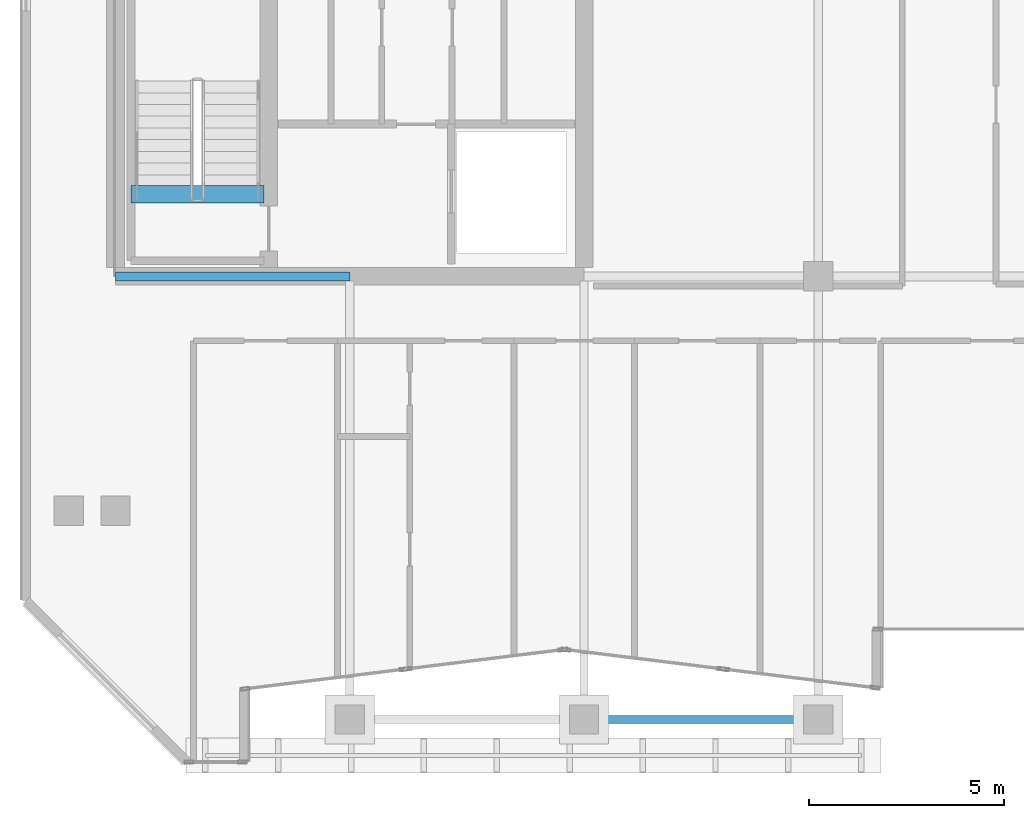
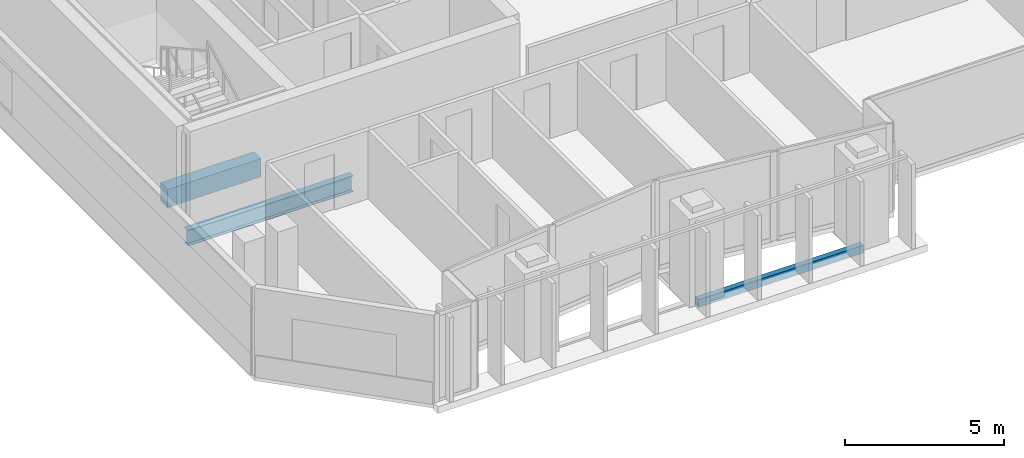
# One storey, part 3 of 32: 3 beams.
"""IFC4 building model written with IfcOpenShell, lengths in metres."""

from ifc_helpers import new_model, si_unit, direction, frame, origin, origin_2d, place, context, subcontext, project, spatial, rectangle, hollow_rectangle, i_section, extrude, material, material_profile, profile_set, type_object, element, save


model = new_model("IFC4")

# Units and contexts
model_context = context("Model", 3, precision=1e-05, world=origin(), true_north=direction((0.0, 1.0)))
body_context = subcontext(model_context, "Body", "Model", "MODEL_VIEW")
ifc_project = project(units=[si_unit("LENGTHUNIT", "METRE"), si_unit("AREAUNIT", "SQUARE_METRE"), si_unit("VOLUMEUNIT", "CUBIC_METRE"), si_unit("PLANEANGLEUNIT", "RADIAN"), si_unit("MASSUNIT", "GRAM", prefix="KILO")], contexts=[model_context])

# Site, building, storey
site_placement = place(None, origin())
site = spatial("IfcSite", under=ifc_project, at=site_placement, CompositionType="ELEMENT")
building_placement = place(site_placement, origin())
building = spatial("IfcBuilding", under=site, at=building_placement, Name="Tanjung Sevakor Pilgrim Tower", CompositionType="ELEMENT")
storey_placement = place(building_placement, frame((0.0, 0.0, 211.860107421875)))
storey = spatial("IfcBuildingStorey", under=building, at=storey_placement, Name="L59", CompositionType="ELEMENT", Elevation=211.860107421875)

# Beams
ifc_material_1 = material(Name="Steel S355J2", Category="steel")
ifc_material_profile_1 = material_profile(ifc_material_1, i_section(OverallWidth=0.22900390625, OverallDepth=0.6123046875, WebThickness=0.011962890625, FlangeThickness=0.01953125, FilletRadius=0.0126953125, at=origin_2d()))
ifc_profile_set_1 = profile_set([ifc_material_profile_1], Name="Steel S355J2")
beam_type_1 = type_object("IfcBeamType", Name="BM-B-G4-UB_610x229x125", PredefinedType="BEAM", material=ifc_profile_set_1)
beam_1_placement = place(storey_placement, frame((24.0, 24.60009765625, -0.526123046875), z_axis=(1.0, 0.0, 0.0), x_axis=(0.0, 1.0, 0.0)))
element("IfcBeam", 1, at=beam_1_placement, inside=storey, type_object=beam_type_1, Name="L59 Primary Floor Girder MAIN Y246-01", PredefinedType="BEAM", context=body_context, shape_type="SweptSolid", body=[
    extrude(i_section(OverallWidth=0.22900390625, OverallDepth=0.6123046875, WebThickness=0.011962890625, FlangeThickness=0.01953125, FilletRadius=0.0126953125, at=origin_2d()), origin(), (0.0, 0.0, 1.0), 6.0),
])
ifc_material_2 = material(Name="Concrete C60/75", Category="concrete")
ifc_material_profile_2 = material_profile(ifc_material_2, rectangle(XDim=0.449951171875, YDim=0.699951171875, at=origin_2d()))
ifc_profile_set_2 = profile_set([ifc_material_profile_2], Name="Concrete C60/75")
beam_type_2 = type_object("IfcBeamType", Name="BM-B-LN3-RC-BM_450x700", PredefinedType="LINTEL", material=ifc_profile_set_2)
beam_2_placement = place(storey_placement, frame((24.39990234375, 26.699951171875, -0.35009765625), z_axis=(1.0, 0.0, 0.0), x_axis=(0.0, 1.0, 0.0)))
element("IfcBeam", 2, at=beam_2_placement, inside=storey, type_object=beam_type_2, Name="L59 TS-W1 Stair Threshold Beam", PredefinedType="LINTEL", context=body_context, shape_type="SweptSolid", body=[
    extrude(rectangle(XDim=0.449951171875, YDim=0.699951171875, at=origin_2d()), origin(), (0.0, 0.0, 1.0), 3.400146484375),
])
ifc_material_3 = material(Name="Steel S355J2", Category="steel")
ifc_material_profile_3 = material_profile(ifc_material_3, hollow_rectangle(XDim=0.199951171875, YDim=0.300048828125, WallThickness=0.012451171875, at=origin_2d()))
ifc_profile_set_3 = profile_set([ifc_material_profile_3], Name="Steel S355J2")
beam_type_3 = type_object("IfcBeamType", Name="BM-B-SP3-RHS_300x200x12.5", PredefinedType="SPANDREL", material=ifc_profile_set_3)
beam_3_placement = place(storey_placement, frame((36.0, 13.25, -0.3701171875), z_axis=(1.0, 0.0, 0.0), x_axis=(0.0, 1.0, 0.0)))
element("IfcBeam", 3, at=beam_3_placement, inside=storey, type_object=beam_type_3, Name="L59 Spandrel MAIN S-03", PredefinedType="SPANDREL", context=body_context, shape_type="SweptSolid", body=[
    extrude(hollow_rectangle(XDim=0.199951171875, YDim=0.300048828125, WallThickness=0.012451171875, at=origin_2d()), origin(), (0.0, 0.0, 1.0), 6.0),
])

save(model, "model.ifc")
